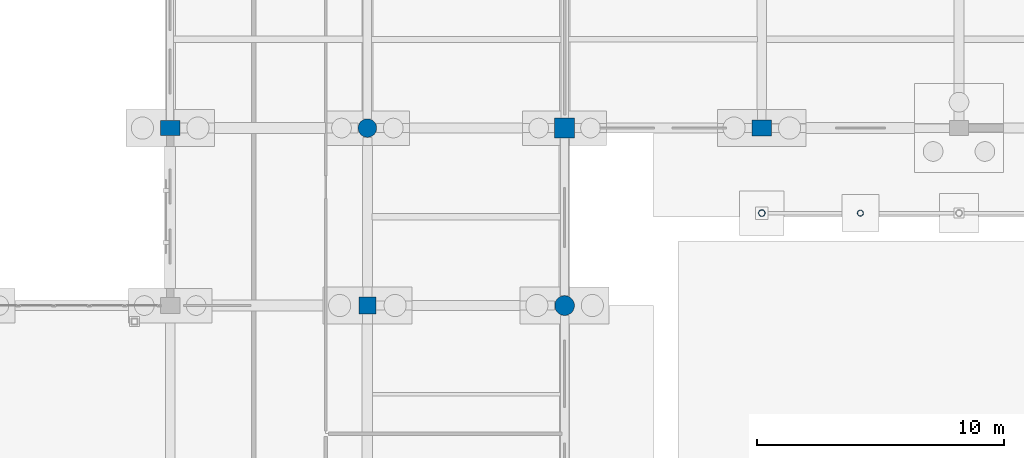
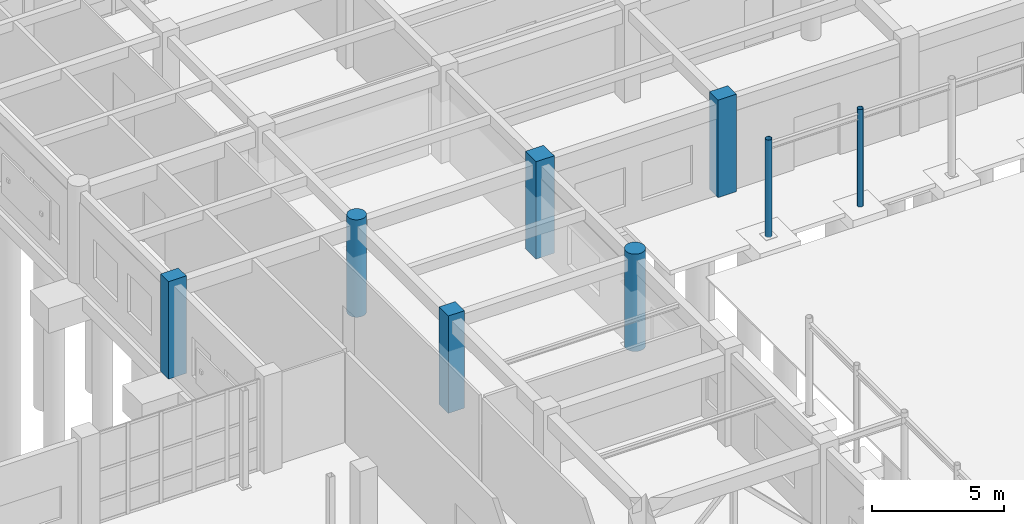
# One storey, part 32 of 166: 8 columns.
"""IFC4 building model written with IfcOpenShell, lengths in metres."""

from ifc_helpers import new_model, si_unit, direction, frame, origin, origin_2d, place, context, subcontext, project, spatial, rectangle, circle, hollow_circle, extrude, material, material_profile, profile_set, type_object, element, save


model = new_model("IFC4")

# Units and contexts
model_context = context("Model", 3, precision=1e-05, world=origin(), true_north=direction((0.0, 1.0)))
body_context = subcontext(model_context, "Body", "Model", "MODEL_VIEW")
ifc_project = project(units=[si_unit("LENGTHUNIT", "METRE"), si_unit("AREAUNIT", "SQUARE_METRE"), si_unit("VOLUMEUNIT", "CUBIC_METRE"), si_unit("PLANEANGLEUNIT", "RADIAN"), si_unit("MASSUNIT", "GRAM", prefix="KILO")], contexts=[model_context])

# Site, building, storey
site_placement = place(None, origin())
site = spatial("IfcSite", under=ifc_project, at=site_placement, CompositionType="ELEMENT")
building_placement = place(site_placement, origin())
building = spatial("IfcBuilding", under=site, at=building_placement, Name="Kharva Crest Polytechnic", CompositionType="ELEMENT")
storey_placement = place(building_placement, origin())
storey = spatial("IfcBuildingStorey", under=building, at=storey_placement, Name="L00", CompositionType="ELEMENT", Elevation=0.0)

# Columns
ifc_material_1 = material(Name="Concrete C40/50", Category="concrete")
ifc_material_profile_1 = material_profile(ifc_material_1, rectangle(XDim=0.780029296875, YDim=0.60009765625, at=origin_2d()), Name="RECT 780 X 600")
ifc_profile_set_1 = profile_set([ifc_material_profile_1], Name="Concrete C40/50")
column_type_1 = type_object("IfcColumnType", Name="COL-EXT-780X600", PredefinedType="COLUMN", material=ifc_profile_set_1)
column_1_placement = place(storey_placement, frame((32.0, 100.39990234375, 0.0), z_axis=(0.0, 0.0, 1.0), x_axis=(1.0, 0.0, 0.0)))
element("IfcColumn", 1, at=column_1_placement, inside=storey, type_object=column_type_1, Name="L00 Column 5/P", PredefinedType="COLUMN", context=body_context, shape_type="SweptSolid", body=[
    extrude(rectangle(XDim=0.780029296875, YDim=0.60009765625, at=origin_2d()), origin(), (0.0, 0.0, 1.0), 4.5),
])
ifc_material_profile_2 = material_profile(ifc_material_1, rectangle(XDim=0.800048828125, YDim=0.64990234375, at=origin_2d()), Name="RECT 800 X 650")
ifc_profile_set_2 = profile_set([ifc_material_profile_2], Name="Concrete C40/50")
column_type_2 = type_object("IfcColumnType", Name="COL-EXT-800X650", PredefinedType="COLUMN", material=ifc_profile_set_2)
column_2_placement = place(storey_placement, frame((56.0, 100.39990234375, 0.0), z_axis=(0.0, 0.0, 1.0), x_axis=(1.0, 0.0, 0.0)))
element("IfcColumn", 2, at=column_2_placement, inside=storey, type_object=column_type_2, Name="L00 Column 8/P", PredefinedType="COLUMN", context=body_context, shape_type="SweptSolid", body=[
    extrude(rectangle(XDim=0.800048828125, YDim=0.64990234375, at=origin_2d()), origin(), (0.0, 0.0, 1.0), 4.5),
])
ifc_material_profile_3 = material_profile(ifc_material_1, rectangle(XDim=0.800048828125, YDim=0.800048828125, at=origin_2d()), Name="RECT 800 X 800")
ifc_profile_set_3 = profile_set([ifc_material_profile_3], Name="Concrete C40/50")
column_type_3 = type_object("IfcColumnType", Name="COL-EXT-800X800", PredefinedType="COLUMN", material=ifc_profile_set_3)
column_3_placement = place(storey_placement, frame((48.0, 100.39990234375, 0.0), z_axis=(0.0, 0.0, 1.0), x_axis=(1.0, 0.0, 0.0)))
element("IfcColumn", 3, at=column_3_placement, inside=storey, type_object=column_type_3, Name="L00 Column 7/P", PredefinedType="COLUMN", context=body_context, shape_type="SweptSolid", body=[
    extrude(rectangle(XDim=0.800048828125, YDim=0.800048828125, at=origin_2d()), origin(), (0.0, 0.0, 1.0), 4.5),
])
ifc_material_profile_4 = material_profile(ifc_material_1, circle(Radius=0.39990234375, at=origin_2d()), Name="DIA 800")
ifc_profile_set_4 = profile_set([ifc_material_profile_4], Name="Concrete C40/50")
column_type_4 = type_object("IfcColumnType", Name="COL-EXT-DIA800", PredefinedType="COLUMN", material=ifc_profile_set_4)
column_4_placement = place(storey_placement, frame((48.0, 93.199951171875, 0.0), z_axis=(0.0, 0.0, 1.0), x_axis=(1.0, 0.0, 0.0)))
element("IfcColumn", 4, at=column_4_placement, inside=storey, type_object=column_type_4, Name="L00 Column 7/N", PredefinedType="COLUMN", context=body_context, shape_type="SweptSolid", body=[
    extrude(circle(Radius=0.39990234375, at=origin_2d()), origin(), (0.0, 0.0, 1.0), 4.5),
])
ifc_material_profile_5 = material_profile(ifc_material_1, rectangle(XDim=0.699951171875, YDim=0.699951171875, at=origin_2d()), Name="RECT 700 X 700")
ifc_profile_set_5 = profile_set([ifc_material_profile_5], Name="Concrete C40/50")
column_type_5 = type_object("IfcColumnType", Name="COL-INT-700X700", PredefinedType="COLUMN", material=ifc_profile_set_5)
column_5_placement = place(storey_placement, frame((40.0, 93.199951171875, 0.0), z_axis=(0.0, 0.0, 1.0), x_axis=(1.0, 0.0, 0.0)))
element("IfcColumn", 5, at=column_5_placement, inside=storey, type_object=column_type_5, Name="L00 Column 6/N", PredefinedType="COLUMN", context=body_context, shape_type="SweptSolid", body=[
    extrude(rectangle(XDim=0.699951171875, YDim=0.699951171875, at=origin_2d()), origin(), (0.0, 0.0, 1.0), 4.5),
])
ifc_material_profile_6 = material_profile(ifc_material_1, circle(Radius=0.375, at=origin_2d()), Name="DIA 750")
ifc_profile_set_6 = profile_set([ifc_material_profile_6], Name="Concrete C40/50")
column_type_6 = type_object("IfcColumnType", Name="COL-INT-DIA750", PredefinedType="COLUMN", material=ifc_profile_set_6)
column_6_placement = place(storey_placement, frame((40.0, 100.39990234375, 0.0), z_axis=(0.0, 0.0, 1.0), x_axis=(1.0, 0.0, 0.0)))
element("IfcColumn", 6, at=column_6_placement, inside=storey, type_object=column_type_6, Name="L00 Column 6/P", PredefinedType="COLUMN", context=body_context, shape_type="SweptSolid", body=[
    extrude(circle(Radius=0.375, at=origin_2d()), origin(), (0.0, 0.0, 1.0), 4.5),
])
ifc_material_2 = material(Name="Steel S355", Category="steel")
ifc_material_profile_7 = material_profile(ifc_material_2, hollow_circle(Radius=0.122314453125, WallThickness=0.010009765625, at=origin_2d()), Name="CHS 244.5X10.0")
ifc_profile_set_7 = profile_set([ifc_material_profile_7], Name="Steel S355")
column_type_7 = type_object("IfcColumnType", Name="COL-STL-CHS244", PredefinedType="COLUMN", material=ifc_profile_set_7)
column_7_placement = place(storey_placement, frame((60.0, 96.949951171875, 0.0), z_axis=(0.0, 0.0, 1.0), x_axis=(1.0, 0.0, 0.0)))
element("IfcColumn", 7, at=column_7_placement, inside=storey, type_object=column_type_7, Name="L00 Colonnade Mid Column VNM01", PredefinedType="COLUMN", context=body_context, shape_type="SweptSolid", body=[
    extrude(hollow_circle(Radius=0.122314453125, WallThickness=0.010009765625, at=origin_2d()), origin(), (0.0, 0.0, 1.0), 4.5),
])
ifc_material_profile_8 = material_profile(ifc_material_2, hollow_circle(Radius=0.136474609375, WallThickness=0.012451171875, at=origin_2d()), Name="CHS 273.0X12.5")
ifc_profile_set_8 = profile_set([ifc_material_profile_8], Name="Steel S355")
column_type_8 = type_object("IfcColumnType", Name="COL-STL-CHS273", PredefinedType="COLUMN", material=ifc_profile_set_8)
column_8_placement = place(storey_placement, frame((56.0, 96.949951171875, 0.0), z_axis=(0.0, 0.0, 1.0), x_axis=(1.0, 0.0, 0.0)))
element("IfcColumn", 8, at=column_8_placement, inside=storey, type_object=column_type_8, Name="L00 Colonnade Column VN01", PredefinedType="COLUMN", context=body_context, shape_type="SweptSolid", body=[
    extrude(hollow_circle(Radius=0.136474609375, WallThickness=0.012451171875, at=origin_2d()), origin(), (0.0, 0.0, 1.0), 4.5),
])

save(model, "model.ifc")
